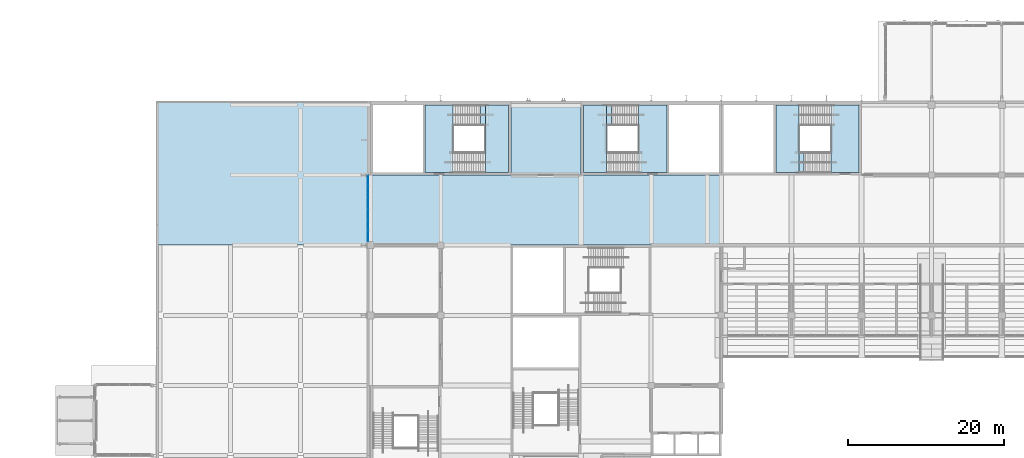
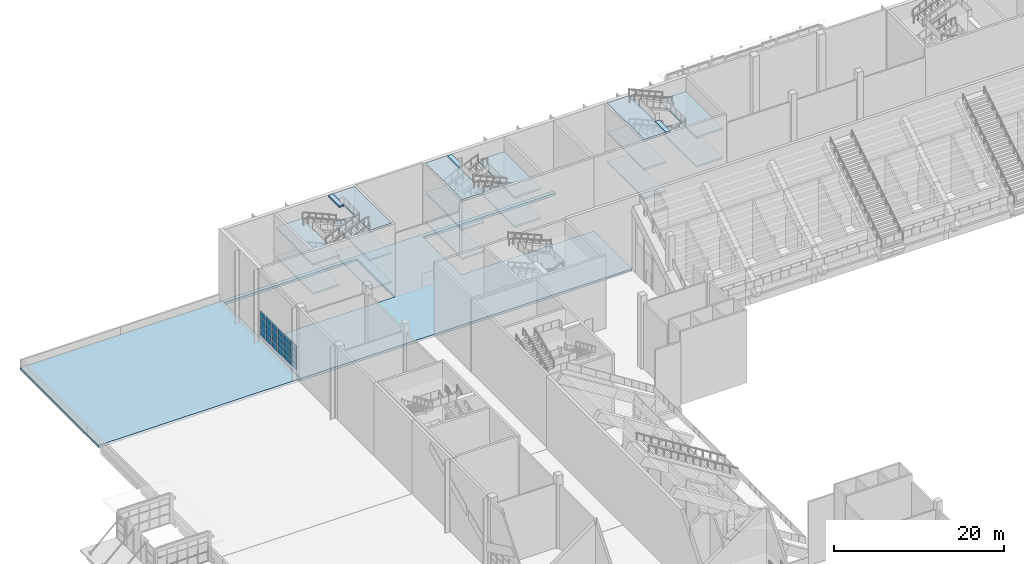
# One storey, part 77 of 182: 24 plates, 20 slabs, 4 elements without a shape of their own.
"""IFC4 building model written with IfcOpenShell, lengths in metres."""

import ifcopenshell
import ifcopenshell.guid

model = None  # the IFC model being written
_history = None  # IfcOwnerHistory: only IFC2X3 demands one
_inside = {}  # id of a spatial element -> (the spatial element, [elements in it])
_under = {}  # id of a project, library or spatial element -> (it, [spatial elements below it])
_declared = {}  # id of a project -> (the project, [libraries it declares])
_typed = {}  # id of a type object -> (the type object, [elements of that type])
_made_of = {}  # id of a material, layer set ... -> (it, [elements and type objects made of it])


def new_model(schema):
    """Start an empty IFC model of exactly this schema.

    Asked for "IFC4X3", IfcOpenShell would pick the latest addendum, in which some entities
    have other attributes; the version numbers below select the first issue.
    IFC2X3 requires an IfcOwnerHistory on every rooted entity: one is made here for all.
    """
    global model, _history
    if schema == "IFC4X3":
        model = ifcopenshell.file(schema_version=(4, 3, 0, 0))
    else:
        model = ifcopenshell.file(schema=schema)
    _inside.clear()
    _under.clear()
    _declared.clear()
    _typed.clear()
    _made_of.clear()
    _history = None
    if model.schema == "IFC2X3":
        org = make("IfcOrganization", Name="unknown")
        user = make(
            "IfcPersonAndOrganization",
            ThePerson=make("IfcPerson", FamilyName="unknown"),
            TheOrganization=org,
        )
        app = make(
            "IfcApplication",
            ApplicationDeveloper=org,
            Version="unknown",
            ApplicationFullName="unknown",
            ApplicationIdentifier="unknown",
        )
        _history = make(
            "IfcOwnerHistory",
            OwningUser=user,
            OwningApplication=app,
            ChangeAction="ADDED",
            CreationDate=0,
        )
    return model


def make(cls, **values):
    """One entity of the class cls with the attributes given. An attribute that is None is left unset."""
    return model.create_entity(
        cls, **{name: value for name, value in values.items() if value is not None}
    )


def rooted(cls, **values):
    """An entity with a GlobalId (a new one), such as an element, a storey or a relation."""
    return make(cls, GlobalId=ifcopenshell.guid.new(), OwnerHistory=_history, **values)


def si_unit(unit_type, name, prefix=None):
    """IfcSIUnit, for example si_unit("LENGTHUNIT", "METRE", prefix="MILLI")."""
    return make("IfcSIUnit", UnitType=unit_type, Prefix=prefix, Name=name)


def assignment(units):
    """IfcUnitAssignment: the units of a project."""
    return None if units is None else make("IfcUnitAssignment", Units=units)


def point(xyz):
    """IfcCartesianPoint."""
    return None if xyz is None else make("IfcCartesianPoint", Coordinates=xyz)


def direction(xyz):
    """IfcDirection."""
    return None if xyz is None else make("IfcDirection", DirectionRatios=xyz)


def frame(location, z_axis=None, x_axis=None):
    """IfcAxis2Placement3D, a coordinate frame: its origin and axes. An axis left out is left unset."""
    return make(
        "IfcAxis2Placement3D",
        Location=point(location),
        Axis=direction(z_axis),
        RefDirection=direction(x_axis),
    )


def frame_2d(location, x_axis=None):
    """IfcAxis2Placement2D, a coordinate frame in the plane: its origin and x axis."""
    return make(
        "IfcAxis2Placement2D", Location=point(location), RefDirection=direction(x_axis)
    )


def origin():
    """The frame at (0, 0, 0) with its axes left unset."""
    return frame((0.0, 0.0, 0.0))


def origin_2d():
    """The frame at (0, 0) in the plane with its x axis left unset."""
    return frame_2d((0.0, 0.0))


def place(relative_to, where):
    """IfcLocalPlacement: puts the frame where relative to a parent placement (None: the world)."""
    return make(
        "IfcLocalPlacement", PlacementRelTo=relative_to, RelativePlacement=where
    )


def context(
    kind, dimensions, precision=None, world=None, true_north=None, identifier=None
):
    """IfcGeometricRepresentationContext, for example the 3D "Model" context."""
    return make(
        "IfcGeometricRepresentationContext",
        ContextIdentifier=identifier,
        ContextType=kind,
        CoordinateSpaceDimension=dimensions,
        Precision=precision,
        WorldCoordinateSystem=world,
        TrueNorth=true_north,
    )


def subcontext(parent, identifier, kind, view, scale=None):
    """IfcGeometricRepresentationSubContext, for example "Body" below "Model"."""
    return make(
        "IfcGeometricRepresentationSubContext",
        ContextIdentifier=identifier,
        ContextType=kind,
        ParentContext=parent,
        TargetScale=scale,
        TargetView=view,
    )


def project(units=None, contexts=None):
    """IfcProject with its units and contexts."""
    return rooted(
        "IfcProject",
        Name="project",
        RepresentationContexts=contexts,
        UnitsInContext=assignment(units),
    )


def spatial(cls, under=None, at=None, **own):
    """A site, building, storey or space (cls), placed at a placement, below another one or the project."""
    s = rooted(cls, ObjectPlacement=at, **own)
    if under is not None:
        _under.setdefault(under.id(), (under, []))[1].append(s)
    return s


def polyline(points):
    """IfcPolyline through the points."""
    return make("IfcPolyline", Points=[point(p) for p in points])


def profile(cls, at=None, kind="AREA", **sizes):
    """A parametric profile (cls). Its sizes go by their IFC names, for example OverallWidth=200.0."""
    return make(cls, ProfileType=kind, Position=at, **sizes)


def rectangle(**sizes):
    """IfcRectangleProfileDef."""
    return profile("IfcRectangleProfileDef", **sizes)


def outline(outer, holes=None, kind="AREA"):
    """IfcArbitraryClosedProfileDef: a profile drawn as a closed curve; with holes, ...WithVoids."""
    if holes is None:
        return make("IfcArbitraryClosedProfileDef", ProfileType=kind, OuterCurve=outer)
    return make(
        "IfcArbitraryProfileDefWithVoids",
        ProfileType=kind,
        OuterCurve=outer,
        InnerCurves=holes,
    )


def extrude(swept, where, along, depth):
    """IfcExtrudedAreaSolid: the profile swept, set in the frame where, extruded along a direction by depth."""
    return make(
        "IfcExtrudedAreaSolid",
        SweptArea=swept,
        Position=where,
        ExtrudedDirection=direction(along),
        Depth=depth,
    )


def shape(context_of_items, identifier, shape_type, items):
    """IfcShapeRepresentation: the items that make up one representation, for example the "Body"."""
    return make(
        "IfcShapeRepresentation",
        ContextOfItems=context_of_items,
        RepresentationIdentifier=identifier,
        RepresentationType=shape_type,
        Items=items,
    )


def material(Name=None, Category=None):
    """IfcMaterial."""
    return make("IfcMaterial", Name=Name, Category=Category)


def layer(
    of_material, thickness, ventilated=None, Name=None, Category=None, Priority=None
):
    """IfcMaterialLayer: one layer of a wall or slab, of a material (None: an air gap)."""
    return make(
        "IfcMaterialLayer",
        Material=of_material,
        LayerThickness=thickness,
        IsVentilated=ventilated,
        Name=Name,
        Category=Category,
        Priority=Priority,
    )


def layer_set(layers, Name=None):
    """IfcMaterialLayerSet."""
    return make("IfcMaterialLayerSet", MaterialLayers=layers, LayerSetName=Name)


def made_of(thing, what):
    """Note that an element or type object is made of a material, layer set ...; save() writes the relation."""
    if what is not None:
        _made_of.setdefault(what.id(), (what, []))[1].append(thing)
    return thing


def type_object(cls, material=None, **own):
    """A type object (cls), such as IfcWallType, which elements share."""
    return made_of(rooted(cls, **own), material)


def element(
    cls,
    number,
    at=None,
    inside=None,
    cuts=None,
    type_object=None,
    material=None,
    context=None,
    identifier="Body",
    shape_type=None,
    held_by="IfcProductDefinitionShape",
    body=None,
    shapes=None,
    **own,
):
    """One element of the class cls, such as IfcWall. Its Tag is "e" and its number.

    at: its placement. inside: the storey or other place that contains it. cuts: it is an
    opening in that element (IfcRelVoidsElement). A single representation is given by context,
    identifier, shape_type and body (its items); several are given by shapes. held_by: the class
    of the entity that holds the representations. save() writes the other relations.
    """
    e = rooted(cls, Tag="e%d" % number, ObjectPlacement=at, **own)
    if body is not None:
        shapes = [shape(context, identifier, shape_type, body)]
    if shapes is not None:
        e.Representation = make(held_by, Representations=shapes)
    if inside is not None:
        _inside.setdefault(inside.id(), (inside, []))[1].append(e)
    if cuts is not None:
        rooted(
            "IfcRelVoidsElement", RelatingBuildingElement=cuts, RelatedOpeningElement=e
        )
    if type_object is not None:
        _typed.setdefault(type_object.id(), (type_object, []))[1].append(e)
    return made_of(e, material)


def aggregate(whole, parts):
    """IfcRelAggregates: a whole, such as a stair, and the parts it consists of."""
    return rooted("IfcRelAggregates", RelatingObject=whole, RelatedObjects=parts)


def save(model, path):
    """Write the relations noted so far, then the file.

    IfcRelAggregates (storeys below a building ...), IfcRelContainedInSpatialStructure (elements
    in a storey), IfcRelDefinesByType, IfcRelAssociatesMaterial and IfcRelDeclares: one each for
    every whole, place, type object, material and project.
    """
    for whole, parts in _under.values():
        aggregate(whole, parts)
    for where, things in _inside.values():
        rooted(
            "IfcRelContainedInSpatialStructure",
            RelatedElements=things,
            RelatingStructure=where,
        )
    for kind, things in _typed.values():
        rooted("IfcRelDefinesByType", RelatedObjects=things, RelatingType=kind)
    for what, things in _made_of.values():
        rooted("IfcRelAssociatesMaterial", RelatedObjects=things, RelatingMaterial=what)
    for by, libraries in _declared.values():
        rooted("IfcRelDeclares", RelatingContext=by, RelatedDefinitions=libraries)
    model.write(path)


model = new_model("IFC4")

# Units and contexts
model_context = context("Model", 3, precision=1e-05, world=origin(), true_north=direction((0.0, 1.0)))
body_context = subcontext(model_context, "Body", "Model", "MODEL_VIEW")
ifc_project = project(units=[si_unit("LENGTHUNIT", "METRE"), si_unit("AREAUNIT", "SQUARE_METRE"), si_unit("VOLUMEUNIT", "CUBIC_METRE"), si_unit("PLANEANGLEUNIT", "RADIAN"), si_unit("MASSUNIT", "GRAM", prefix="KILO")], contexts=[model_context])

# Site, building, storey
site_placement = place(None, origin())
site = spatial("IfcSite", under=ifc_project, at=site_placement, CompositionType="ELEMENT")
building_placement = place(site_placement, origin())
building = spatial("IfcBuilding", under=site, at=building_placement, Name="Silverbay Arena", CompositionType="ELEMENT")
storey_placement = place(building_placement, frame((0.0, 0.0, 11.5)))
storey = spatial("IfcBuildingStorey", under=building, at=storey_placement, Name="L02", CompositionType="ELEMENT", Elevation=11.5)

# Curtain wall, plates
ifc_material_1 = material(Name="Aluminium framed curtain wall", Category="aluminium")
curtain_wall_type = type_object("IfcCurtainWallType", Name="Curtain wall 8550 x 3600", PredefinedType="NOTDEFINED", material=ifc_material_1)
curtain_wall_placement = place(storey_placement, origin())
curtain_wall = element("IfcCurtainWall", 1, at=curtain_wall_placement, inside=storey, type_object=curtain_wall_type, Name="West curtain wall L02 bay 13", PredefinedType="NOTDEFINED")
ifc_material_2 = material(Name="Laminated glass", Category="glass")
ifc_layer_1 = layer(ifc_material_2, 0.035888671875)
ifc_layer_set_1 = layer_set([ifc_layer_1], Name="Laminated glass")
plate_type = type_object("IfcPlateType", Name="Glass panel 36", PredefinedType="CURTAIN_PANEL", material=ifc_layer_set_1)
plate_1_placement = place(storey_placement, frame((53.64990234375, 134.2724609375, 1.0498046875), z_axis=(0.0, 0.0, 1.0), x_axis=(0.0, -1.0, 0.0)))
plate_1 = element("IfcPlate", 2, at=plate_1_placement, type_object=plate_type, Name="CW10 panel 1.1", PredefinedType="CURTAIN_PANEL", context=body_context, shape_type="SweptSolid", body=[
    extrude(rectangle(XDim=1.3349609375, YDim=0.035888671875, at=origin_2d()), origin(), (0.0, 0.0, 1.0), 0.824951171875),
])
plate_2_placement = place(storey_placement, frame((53.64990234375, 134.2724609375, 1.925048828125), z_axis=(0.0, 0.0, 1.0), x_axis=(0.0, -1.0, 0.0)))
plate_2 = element("IfcPlate", 3, at=plate_2_placement, type_object=plate_type, Name="CW10 panel 1.2", PredefinedType="CURTAIN_PANEL", context=body_context, shape_type="SweptSolid", body=[
    extrude(rectangle(XDim=1.3349609375, YDim=0.035888671875, at=origin_2d()), origin(), (0.0, 0.0, 1.0), 0.85009765625),
])
plate_3_placement = place(storey_placement, frame((53.64990234375, 134.2724609375, 2.824951171875), z_axis=(0.0, 0.0, 1.0), x_axis=(0.0, -1.0, 0.0)))
plate_3 = element("IfcPlate", 4, at=plate_3_placement, type_object=plate_type, Name="CW10 panel 1.3", PredefinedType="CURTAIN_PANEL", context=body_context, shape_type="SweptSolid", body=[
    extrude(rectangle(XDim=1.3349609375, YDim=0.035888671875, at=origin_2d()), origin(), (0.0, 0.0, 1.0), 0.85009765625),
])
plate_4_placement = place(storey_placement, frame((53.64990234375, 134.2724609375, 3.72509765625), z_axis=(0.0, 0.0, 1.0), x_axis=(0.0, -1.0, 0.0)))
plate_4 = element("IfcPlate", 5, at=plate_4_placement, type_object=plate_type, Name="CW10 panel 1.4", PredefinedType="CURTAIN_PANEL", context=body_context, shape_type="SweptSolid", body=[
    extrude(rectangle(XDim=1.3349609375, YDim=0.035888671875, at=origin_2d()), origin(), (0.0, 0.0, 1.0), 0.824951171875),
])
plate_5_placement = place(storey_placement, frame((53.64990234375, 132.862548828125, 1.0498046875), z_axis=(0.0, 0.0, 1.0), x_axis=(0.0, -1.0, 0.0)))
plate_5 = element("IfcPlate", 6, at=plate_5_placement, type_object=plate_type, Name="CW10 panel 2.1", PredefinedType="CURTAIN_PANEL", context=body_context, shape_type="SweptSolid", body=[
    extrude(rectangle(XDim=1.364990234375, YDim=0.035888671875, at=origin_2d()), origin(), (0.0, 0.0, 1.0), 0.824951171875),
])
plate_6_placement = place(storey_placement, frame((53.64990234375, 132.862548828125, 1.925048828125), z_axis=(0.0, 0.0, 1.0), x_axis=(0.0, -1.0, 0.0)))
plate_6 = element("IfcPlate", 7, at=plate_6_placement, type_object=plate_type, Name="CW10 panel 2.2", PredefinedType="CURTAIN_PANEL", context=body_context, shape_type="SweptSolid", body=[
    extrude(rectangle(XDim=1.364990234375, YDim=0.035888671875, at=origin_2d()), origin(), (0.0, 0.0, 1.0), 0.85009765625),
])
plate_7_placement = place(storey_placement, frame((53.64990234375, 132.862548828125, 2.824951171875), z_axis=(0.0, 0.0, 1.0), x_axis=(0.0, -1.0, 0.0)))
plate_7 = element("IfcPlate", 8, at=plate_7_placement, type_object=plate_type, Name="CW10 panel 2.3", PredefinedType="CURTAIN_PANEL", context=body_context, shape_type="SweptSolid", body=[
    extrude(rectangle(XDim=1.364990234375, YDim=0.035888671875, at=origin_2d()), origin(), (0.0, 0.0, 1.0), 0.85009765625),
])
plate_8_placement = place(storey_placement, frame((53.64990234375, 132.862548828125, 3.72509765625), z_axis=(0.0, 0.0, 1.0), x_axis=(0.0, -1.0, 0.0)))
plate_8 = element("IfcPlate", 9, at=plate_8_placement, type_object=plate_type, Name="CW10 panel 2.4", PredefinedType="CURTAIN_PANEL", context=body_context, shape_type="SweptSolid", body=[
    extrude(rectangle(XDim=1.364990234375, YDim=0.035888671875, at=origin_2d()), origin(), (0.0, 0.0, 1.0), 0.824951171875),
])
plate_9_placement = place(storey_placement, frame((53.64990234375, 131.4375, 1.0498046875), z_axis=(0.0, 0.0, 1.0), x_axis=(0.0, -1.0, 0.0)))
plate_9 = element("IfcPlate", 10, at=plate_9_placement, type_object=plate_type, Name="CW10 panel 3.1", PredefinedType="CURTAIN_PANEL", context=body_context, shape_type="SweptSolid", body=[
    extrude(rectangle(XDim=1.364990234375, YDim=0.035888671875, at=origin_2d()), origin(), (0.0, 0.0, 1.0), 0.824951171875),
])
plate_10_placement = place(storey_placement, frame((53.64990234375, 131.4375, 1.925048828125), z_axis=(0.0, 0.0, 1.0), x_axis=(0.0, -1.0, 0.0)))
plate_10 = element("IfcPlate", 11, at=plate_10_placement, type_object=plate_type, Name="CW10 panel 3.2", PredefinedType="CURTAIN_PANEL", context=body_context, shape_type="SweptSolid", body=[
    extrude(rectangle(XDim=1.364990234375, YDim=0.035888671875, at=origin_2d()), origin(), (0.0, 0.0, 1.0), 0.85009765625),
])
plate_11_placement = place(storey_placement, frame((53.64990234375, 131.4375, 2.824951171875), z_axis=(0.0, 0.0, 1.0), x_axis=(0.0, -1.0, 0.0)))
plate_11 = element("IfcPlate", 12, at=plate_11_placement, type_object=plate_type, Name="CW10 panel 3.3", PredefinedType="CURTAIN_PANEL", context=body_context, shape_type="SweptSolid", body=[
    extrude(rectangle(XDim=1.364990234375, YDim=0.035888671875, at=origin_2d()), origin(), (0.0, 0.0, 1.0), 0.85009765625),
])
plate_12_placement = place(storey_placement, frame((53.64990234375, 131.4375, 3.72509765625), z_axis=(0.0, 0.0, 1.0), x_axis=(0.0, -1.0, 0.0)))
plate_12 = element("IfcPlate", 13, at=plate_12_placement, type_object=plate_type, Name="CW10 panel 3.4", PredefinedType="CURTAIN_PANEL", context=body_context, shape_type="SweptSolid", body=[
    extrude(rectangle(XDim=1.364990234375, YDim=0.035888671875, at=origin_2d()), origin(), (0.0, 0.0, 1.0), 0.824951171875),
])
plate_13_placement = place(storey_placement, frame((53.64990234375, 130.012451171875, 1.0498046875), z_axis=(0.0, 0.0, 1.0), x_axis=(0.0, -1.0, 0.0)))
plate_13 = element("IfcPlate", 14, at=plate_13_placement, type_object=plate_type, Name="CW10 panel 4.1", PredefinedType="CURTAIN_PANEL", context=body_context, shape_type="SweptSolid", body=[
    extrude(rectangle(XDim=1.364990234375, YDim=0.035888671875, at=origin_2d()), origin(), (0.0, 0.0, 1.0), 0.824951171875),
])
plate_14_placement = place(storey_placement, frame((53.64990234375, 130.012451171875, 1.925048828125), z_axis=(0.0, 0.0, 1.0), x_axis=(0.0, -1.0, 0.0)))
plate_14 = element("IfcPlate", 15, at=plate_14_placement, type_object=plate_type, Name="CW10 panel 4.2", PredefinedType="CURTAIN_PANEL", context=body_context, shape_type="SweptSolid", body=[
    extrude(rectangle(XDim=1.364990234375, YDim=0.035888671875, at=origin_2d()), origin(), (0.0, 0.0, 1.0), 0.85009765625),
])
plate_15_placement = place(storey_placement, frame((53.64990234375, 130.012451171875, 2.824951171875), z_axis=(0.0, 0.0, 1.0), x_axis=(0.0, -1.0, 0.0)))
plate_15 = element("IfcPlate", 16, at=plate_15_placement, type_object=plate_type, Name="CW10 panel 4.3", PredefinedType="CURTAIN_PANEL", context=body_context, shape_type="SweptSolid", body=[
    extrude(rectangle(XDim=1.364990234375, YDim=0.035888671875, at=origin_2d()), origin(), (0.0, 0.0, 1.0), 0.85009765625),
])
plate_16_placement = place(storey_placement, frame((53.64990234375, 130.012451171875, 3.72509765625), z_axis=(0.0, 0.0, 1.0), x_axis=(0.0, -1.0, 0.0)))
plate_16 = element("IfcPlate", 17, at=plate_16_placement, type_object=plate_type, Name="CW10 panel 4.4", PredefinedType="CURTAIN_PANEL", context=body_context, shape_type="SweptSolid", body=[
    extrude(rectangle(XDim=1.364990234375, YDim=0.035888671875, at=origin_2d()), origin(), (0.0, 0.0, 1.0), 0.824951171875),
])
plate_17_placement = place(storey_placement, frame((53.64990234375, 128.58740234375, 1.0498046875), z_axis=(0.0, 0.0, 1.0), x_axis=(0.0, -1.0, 0.0)))
plate_17 = element("IfcPlate", 18, at=plate_17_placement, type_object=plate_type, Name="CW10 panel 5.1", PredefinedType="CURTAIN_PANEL", context=body_context, shape_type="SweptSolid", body=[
    extrude(rectangle(XDim=1.364990234375, YDim=0.035888671875, at=origin_2d()), origin(), (0.0, 0.0, 1.0), 0.824951171875),
])
plate_18_placement = place(storey_placement, frame((53.64990234375, 128.58740234375, 1.925048828125), z_axis=(0.0, 0.0, 1.0), x_axis=(0.0, -1.0, 0.0)))
plate_18 = element("IfcPlate", 19, at=plate_18_placement, type_object=plate_type, Name="CW10 panel 5.2", PredefinedType="CURTAIN_PANEL", context=body_context, shape_type="SweptSolid", body=[
    extrude(rectangle(XDim=1.364990234375, YDim=0.035888671875, at=origin_2d()), origin(), (0.0, 0.0, 1.0), 0.85009765625),
])
plate_19_placement = place(storey_placement, frame((53.64990234375, 128.58740234375, 2.824951171875), z_axis=(0.0, 0.0, 1.0), x_axis=(0.0, -1.0, 0.0)))
plate_19 = element("IfcPlate", 20, at=plate_19_placement, type_object=plate_type, Name="CW10 panel 5.3", PredefinedType="CURTAIN_PANEL", context=body_context, shape_type="SweptSolid", body=[
    extrude(rectangle(XDim=1.364990234375, YDim=0.035888671875, at=origin_2d()), origin(), (0.0, 0.0, 1.0), 0.85009765625),
])
plate_20_placement = place(storey_placement, frame((53.64990234375, 128.58740234375, 3.72509765625), z_axis=(0.0, 0.0, 1.0), x_axis=(0.0, -1.0, 0.0)))
plate_20 = element("IfcPlate", 21, at=plate_20_placement, type_object=plate_type, Name="CW10 panel 5.4", PredefinedType="CURTAIN_PANEL", context=body_context, shape_type="SweptSolid", body=[
    extrude(rectangle(XDim=1.364990234375, YDim=0.035888671875, at=origin_2d()), origin(), (0.0, 0.0, 1.0), 0.824951171875),
])
plate_21_placement = place(storey_placement, frame((53.64990234375, 127.177490234375, 1.0498046875), z_axis=(0.0, 0.0, 1.0), x_axis=(0.0, -1.0, 0.0)))
plate_21 = element("IfcPlate", 22, at=plate_21_placement, type_object=plate_type, Name="CW10 panel 6.1", PredefinedType="CURTAIN_PANEL", context=body_context, shape_type="SweptSolid", body=[
    extrude(rectangle(XDim=1.3349609375, YDim=0.035888671875, at=origin_2d()), origin(), (0.0, 0.0, 1.0), 0.824951171875),
])
plate_22_placement = place(storey_placement, frame((53.64990234375, 127.177490234375, 1.925048828125), z_axis=(0.0, 0.0, 1.0), x_axis=(0.0, -1.0, 0.0)))
plate_22 = element("IfcPlate", 23, at=plate_22_placement, type_object=plate_type, Name="CW10 panel 6.2", PredefinedType="CURTAIN_PANEL", context=body_context, shape_type="SweptSolid", body=[
    extrude(rectangle(XDim=1.3349609375, YDim=0.035888671875, at=origin_2d()), origin(), (0.0, 0.0, 1.0), 0.85009765625),
])
plate_23_placement = place(storey_placement, frame((53.64990234375, 127.177490234375, 2.824951171875), z_axis=(0.0, 0.0, 1.0), x_axis=(0.0, -1.0, 0.0)))
plate_23 = element("IfcPlate", 24, at=plate_23_placement, type_object=plate_type, Name="CW10 panel 6.3", PredefinedType="CURTAIN_PANEL", context=body_context, shape_type="SweptSolid", body=[
    extrude(rectangle(XDim=1.3349609375, YDim=0.035888671875, at=origin_2d()), origin(), (0.0, 0.0, 1.0), 0.85009765625),
])
plate_24_placement = place(storey_placement, frame((53.64990234375, 127.177490234375, 3.72509765625), z_axis=(0.0, 0.0, 1.0), x_axis=(0.0, -1.0, 0.0)))
plate_24 = element("IfcPlate", 25, at=plate_24_placement, type_object=plate_type, Name="CW10 panel 6.4", PredefinedType="CURTAIN_PANEL", context=body_context, shape_type="SweptSolid", body=[
    extrude(rectangle(XDim=1.3349609375, YDim=0.035888671875, at=origin_2d()), origin(), (0.0, 0.0, 1.0), 0.824951171875),
])
aggregate(curtain_wall, [plate_1, plate_2, plate_3, plate_4, plate_5, plate_6, plate_7, plate_8, plate_9, plate_10, plate_11, plate_12, plate_13, plate_14, plate_15, plate_16, plate_17, plate_18, plate_19, plate_20, plate_21, plate_22, plate_23, plate_24])

# Slabs
ifc_material_3 = material(Name="Concrete Grade C45", Category="concrete")
ifc_layer_2 = layer(ifc_material_3, 0.35009765625)
ifc_layer_set_2 = layer_set([ifc_layer_2], Name="Concrete Grade C45")
slab_type_1 = type_object("IfcSlabType", Name="RC floor slab 350", PredefinedType="FLOOR", material=ifc_layer_set_2)
slab_1_placement = place(storey_placement, frame((0.0, 0.0, -0.35009765625)))
element("IfcSlab", 26, at=slab_1_placement, inside=storey, type_object=slab_type_1, Name="Floor slab L02 unit 12", PredefinedType="FLOOR", context=body_context, shape_type="SweptSolid", body=[
    extrude(outline(polyline([(99.0, 126.02490234375), (54.0, 126.02490234375), (54.0, 135.0), (72.0, 135.0), (72.0, 144.0), (54.0, 144.0), (54.0, 144.5), (99.0, 144.5), (99.0, 144.0), (81.0, 144.0), (81.0, 135.0), (99.0, 135.0), (99.0, 126.02490234375)])), origin(), (0.0, 0.0, 1.0), 0.35009765625),
])
ifc_material_4 = material(Name="Concrete Grade C45", Category="concrete")
ifc_layer_3 = layer(ifc_material_4, 0.35009765625)
ifc_layer_set_3 = layer_set([ifc_layer_3], Name="Concrete Grade C45")
slab_type_2 = type_object("IfcSlabType", Name="RC roof slab 350", PredefinedType="ROOF", material=ifc_layer_set_3)
slab_2_placement = place(storey_placement, frame((0.0, 0.0, -0.35009765625)))
element("IfcSlab", 27, at=slab_2_placement, inside=storey, type_object=slab_type_2, Name="Roof slab L02 unit 9", PredefinedType="ROOF", context=body_context, shape_type="SweptSolid", body=[
    extrude(outline(polyline([(26.5, 144.5), (54.0, 144.5), (54.0, 126.02490234375), (26.5, 126.02490234375), (26.5, 144.5)])), origin(), (0.0, 0.0, 1.0), 0.35009765625),
])

# Stair, slab
ifc_material_5 = material(Name="Concrete Grade C45", Category="concrete")
stair_type = type_object("IfcStairType", Name="Stair 2600 wide 80 risers 131.2 x 300", PredefinedType="HALF_TURN_STAIR", material=ifc_material_5)
stair_1_placement = place(storey_placement, origin())
stair_1 = element("IfcStair", 28, at=stair_1_placement, inside=storey, type_object=stair_type, Name="Stair ST-N1 L02 to L03", PredefinedType="HALF_TURN_STAIR")
ifc_material_6 = material(Name="Concrete Grade C45", Category="concrete")
ifc_layer_4 = layer(ifc_material_6, 0.25)
ifc_layer_set_4 = layer_set([ifc_layer_4], Name="Concrete Grade C45")
slab_type_3 = type_object("IfcSlabType", Name="Stair arrival platform RC 250", PredefinedType="FLOOR", material=ifc_layer_set_4)
slab_3_placement = place(storey_placement, frame((0.0, 0.0, 10.25)))
slab_3 = element("IfcSlab", 29, at=slab_3_placement, type_object=slab_type_3, Name="Stair ST-N1 L02 to L03 arrival platform 6", PredefinedType="FLOOR", context=body_context, shape_type="SweptSolid", body=[
    extrude(outline(polyline([(84.89990234375, 141.39990234375), (84.274169921875, 141.39990234375), (84.274169921875, 144.0), (84.89990234375, 144.0), (84.89990234375, 141.39990234375)])), origin(), (0.0, 0.0, 1.0), 0.25),
])

stair_2_placement = place(storey_placement, origin())
stair_2 = element("IfcStair", 30, at=stair_2_placement, inside=storey, type_object=stair_type, Name="Stair ST-N2 L02 to L03", PredefinedType="HALF_TURN_STAIR")
slab_4_placement = place(storey_placement, frame((0.0, 0.0, 10.25)))
slab_4 = element("IfcSlab", 31, at=slab_4_placement, type_object=slab_type_3, Name="Stair ST-N2 L02 to L03 arrival platform 6", PredefinedType="FLOOR", context=body_context, shape_type="SweptSolid", body=[
    extrude(outline(polyline([(109.60009765625, 135.300048828125), (108.97412109375, 135.300048828125), (108.97412109375, 137.89990234375), (109.60009765625, 137.89990234375), (109.60009765625, 135.300048828125)])), origin(), (0.0, 0.0, 1.0), 0.25),
])

stair_3_placement = place(storey_placement, origin())
stair_3 = element("IfcStair", 32, at=stair_3_placement, inside=storey, type_object=stair_type, Name="Stair ST-N5 L02 to L03", PredefinedType="HALF_TURN_STAIR")
slab_5_placement = place(storey_placement, frame((0.0, 0.0, 10.25)))
slab_5 = element("IfcSlab", 33, at=slab_5_placement, type_object=slab_type_3, Name="Stair ST-N5 L02 to L03 arrival platform 6", PredefinedType="FLOOR", context=body_context, shape_type="SweptSolid", body=[
    extrude(outline(polyline([(68.10009765625, 141.39990234375), (68.725830078125, 141.39990234375), (68.725830078125, 144.0), (68.10009765625, 144.0), (68.10009765625, 141.39990234375)])), origin(), (0.0, 0.0, 1.0), 0.25),
])

# Slab
ifc_material_7 = material(Name="Concrete Grade C45", Category="concrete")
ifc_layer_5 = layer(ifc_material_7, 0.25)
ifc_layer_set_5 = layer_set([ifc_layer_5], Name="Concrete Grade C45")
slab_type_4 = type_object("IfcSlabType", Name="Stair landing RC 250", PredefinedType="LANDING", material=ifc_layer_set_5)
slab_6_placement = place(storey_placement, frame((0.0, 0.0, 1.85009765625)))
slab_6 = element("IfcSlab", 34, at=slab_6_placement, type_object=slab_type_4, Name="Stair ST-N1 L02 to L03 landing 1", PredefinedType="LANDING", context=body_context, shape_type="SweptSolid", body=[
    extrude(outline(polyline([(84.274169921875, 135.300048828125), (81.300048828125, 135.300048828125), (81.300048828125, 144.0), (84.274169921875, 144.0), (84.274169921875, 135.300048828125)])), origin(), (0.0, 0.0, 1.0), 0.25),
])

slab_7_placement = place(storey_placement, frame((0.0, 0.0, 3.949951171875)))
slab_7 = element("IfcSlab", 35, at=slab_7_placement, type_object=slab_type_4, Name="Stair ST-N1 L02 to L03 landing 2", PredefinedType="LANDING", context=body_context, shape_type="SweptSolid", body=[
    extrude(outline(polyline([(92.0, 135.300048828125), (88.39990234375, 135.300048828125), (88.39990234375, 144.0), (92.0, 144.0), (92.0, 135.300048828125)])), origin(), (0.0, 0.0, 1.0), 0.25),
])

slab_8_placement = place(storey_placement, frame((0.0, 0.0, 6.050048828125)))
slab_8 = element("IfcSlab", 36, at=slab_8_placement, type_object=slab_type_4, Name="Stair ST-N1 L02 to L03 landing 3", PredefinedType="LANDING", context=body_context, shape_type="SweptSolid", body=[
    extrude(outline(polyline([(84.274169921875, 135.300048828125), (81.300048828125, 135.300048828125), (81.300048828125, 144.0), (84.274169921875, 144.0), (84.274169921875, 135.300048828125)])), origin(), (0.0, 0.0, 1.0), 0.25),
])

slab_9_placement = place(storey_placement, frame((0.0, 0.0, 8.14990234375)))
slab_9 = element("IfcSlab", 37, at=slab_9_placement, type_object=slab_type_4, Name="Stair ST-N1 L02 to L03 landing 4", PredefinedType="LANDING", context=body_context, shape_type="SweptSolid", body=[
    extrude(outline(polyline([(92.0, 135.300048828125), (88.39990234375, 135.300048828125), (88.39990234375, 144.0), (92.0, 144.0), (92.0, 135.300048828125)])), origin(), (0.0, 0.0, 1.0), 0.25),
])

slab_10_placement = place(storey_placement, frame((0.0, 0.0, 10.25)))
slab_10 = element("IfcSlab", 38, at=slab_10_placement, type_object=slab_type_4, Name="Stair ST-N1 L02 to L03 landing 5", PredefinedType="LANDING", context=body_context, shape_type="SweptSolid", body=[
    extrude(outline(polyline([(84.274169921875, 135.300048828125), (81.300048828125, 135.300048828125), (81.300048828125, 144.0), (84.274169921875, 144.0), (84.274169921875, 135.300048828125)])), origin(), (0.0, 0.0, 1.0), 0.25),
])

aggregate(stair_1, [slab_6, slab_7, slab_8, slab_9, slab_10, slab_3])

slab_11_placement = place(storey_placement, frame((0.0, 0.0, 1.85009765625)))
slab_11 = element("IfcSlab", 39, at=slab_11_placement, type_object=slab_type_4, Name="Stair ST-N2 L02 to L03 landing 1", PredefinedType="LANDING", context=body_context, shape_type="SweptSolid", body=[
    extrude(outline(polyline([(108.97412109375, 135.300048828125), (106.0, 135.300048828125), (106.0, 144.0), (108.97412109375, 144.0), (108.97412109375, 135.300048828125)])), origin(), (0.0, 0.0, 1.0), 0.25),
])

slab_12_placement = place(storey_placement, frame((0.0, 0.0, 3.949951171875)))
slab_12 = element("IfcSlab", 40, at=slab_12_placement, type_object=slab_type_4, Name="Stair ST-N2 L02 to L03 landing 2", PredefinedType="LANDING", context=body_context, shape_type="SweptSolid", body=[
    extrude(outline(polyline([(116.699951171875, 135.300048828125), (113.10009765625, 135.300048828125), (113.10009765625, 144.0), (116.699951171875, 144.0), (116.699951171875, 135.300048828125)])), origin(), (0.0, 0.0, 1.0), 0.25),
])

slab_13_placement = place(storey_placement, frame((0.0, 0.0, 6.050048828125)))
slab_13 = element("IfcSlab", 41, at=slab_13_placement, type_object=slab_type_4, Name="Stair ST-N2 L02 to L03 landing 3", PredefinedType="LANDING", context=body_context, shape_type="SweptSolid", body=[
    extrude(outline(polyline([(108.97412109375, 135.300048828125), (106.0, 135.300048828125), (106.0, 144.0), (108.97412109375, 144.0), (108.97412109375, 135.300048828125)])), origin(), (0.0, 0.0, 1.0), 0.25),
])

slab_14_placement = place(storey_placement, frame((0.0, 0.0, 8.14990234375)))
slab_14 = element("IfcSlab", 42, at=slab_14_placement, type_object=slab_type_4, Name="Stair ST-N2 L02 to L03 landing 4", PredefinedType="LANDING", context=body_context, shape_type="SweptSolid", body=[
    extrude(outline(polyline([(116.699951171875, 135.300048828125), (113.10009765625, 135.300048828125), (113.10009765625, 144.0), (116.699951171875, 144.0), (116.699951171875, 135.300048828125)])), origin(), (0.0, 0.0, 1.0), 0.25),
])

slab_15_placement = place(storey_placement, frame((0.0, 0.0, 10.25)))
slab_15 = element("IfcSlab", 43, at=slab_15_placement, type_object=slab_type_4, Name="Stair ST-N2 L02 to L03 landing 5", PredefinedType="LANDING", context=body_context, shape_type="SweptSolid", body=[
    extrude(outline(polyline([(108.97412109375, 135.300048828125), (106.0, 135.300048828125), (106.0, 144.0), (108.97412109375, 144.0), (108.97412109375, 135.300048828125)])), origin(), (0.0, 0.0, 1.0), 0.25),
])

aggregate(stair_2, [slab_11, slab_12, slab_13, slab_14, slab_15, slab_4])

slab_16_placement = place(storey_placement, frame((0.0, 0.0, 1.85009765625)))
slab_16 = element("IfcSlab", 44, at=slab_16_placement, type_object=slab_type_4, Name="Stair ST-N5 L02 to L03 landing 1", PredefinedType="LANDING", context=body_context, shape_type="SweptSolid", body=[
    extrude(outline(polyline([(68.725830078125, 135.300048828125), (71.699951171875, 135.300048828125), (71.699951171875, 144.0), (68.725830078125, 144.0), (68.725830078125, 135.300048828125)])), origin(), (0.0, 0.0, 1.0), 0.25),
])

slab_17_placement = place(storey_placement, frame((0.0, 0.0, 3.949951171875)))
slab_17 = element("IfcSlab", 45, at=slab_17_placement, type_object=slab_type_4, Name="Stair ST-N5 L02 to L03 landing 2", PredefinedType="LANDING", context=body_context, shape_type="SweptSolid", body=[
    extrude(outline(polyline([(61.0, 135.300048828125), (64.60009765625, 135.300048828125), (64.60009765625, 144.0), (61.0, 144.0), (61.0, 135.300048828125)])), origin(), (0.0, 0.0, 1.0), 0.25),
])

slab_18_placement = place(storey_placement, frame((0.0, 0.0, 6.050048828125)))
slab_18 = element("IfcSlab", 46, at=slab_18_placement, type_object=slab_type_4, Name="Stair ST-N5 L02 to L03 landing 3", PredefinedType="LANDING", context=body_context, shape_type="SweptSolid", body=[
    extrude(outline(polyline([(68.725830078125, 135.300048828125), (71.699951171875, 135.300048828125), (71.699951171875, 144.0), (68.725830078125, 144.0), (68.725830078125, 135.300048828125)])), origin(), (0.0, 0.0, 1.0), 0.25),
])

slab_19_placement = place(storey_placement, frame((0.0, 0.0, 8.14990234375)))
slab_19 = element("IfcSlab", 47, at=slab_19_placement, type_object=slab_type_4, Name="Stair ST-N5 L02 to L03 landing 4", PredefinedType="LANDING", context=body_context, shape_type="SweptSolid", body=[
    extrude(outline(polyline([(61.0, 135.300048828125), (64.60009765625, 135.300048828125), (64.60009765625, 144.0), (61.0, 144.0), (61.0, 135.300048828125)])), origin(), (0.0, 0.0, 1.0), 0.25),
])

slab_20_placement = place(storey_placement, frame((0.0, 0.0, 10.25)))
slab_20 = element("IfcSlab", 48, at=slab_20_placement, type_object=slab_type_4, Name="Stair ST-N5 L02 to L03 landing 5", PredefinedType="LANDING", context=body_context, shape_type="SweptSolid", body=[
    extrude(outline(polyline([(68.725830078125, 135.300048828125), (71.699951171875, 135.300048828125), (71.699951171875, 144.0), (68.725830078125, 144.0), (68.725830078125, 135.300048828125)])), origin(), (0.0, 0.0, 1.0), 0.25),
])

aggregate(stair_3, [slab_16, slab_17, slab_18, slab_19, slab_20, slab_5])

save(model, "model.ifc")
